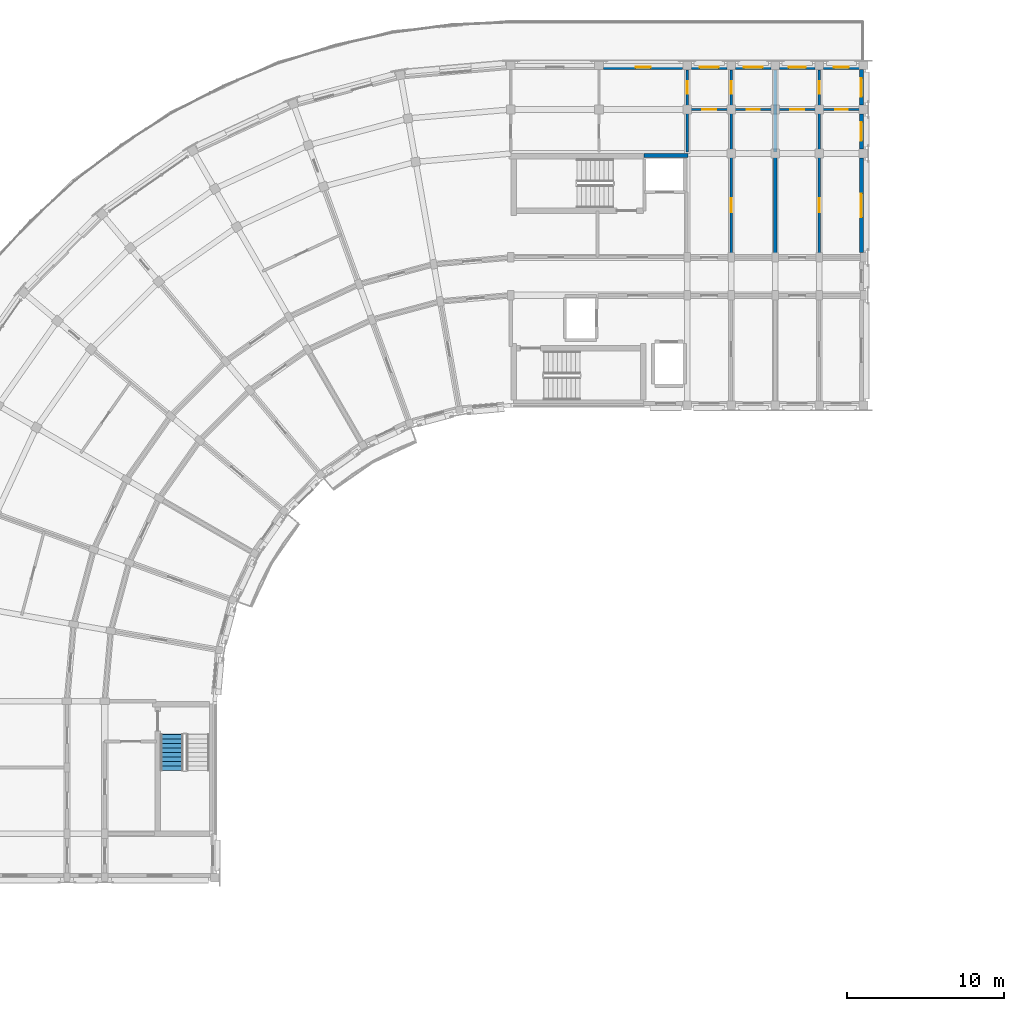
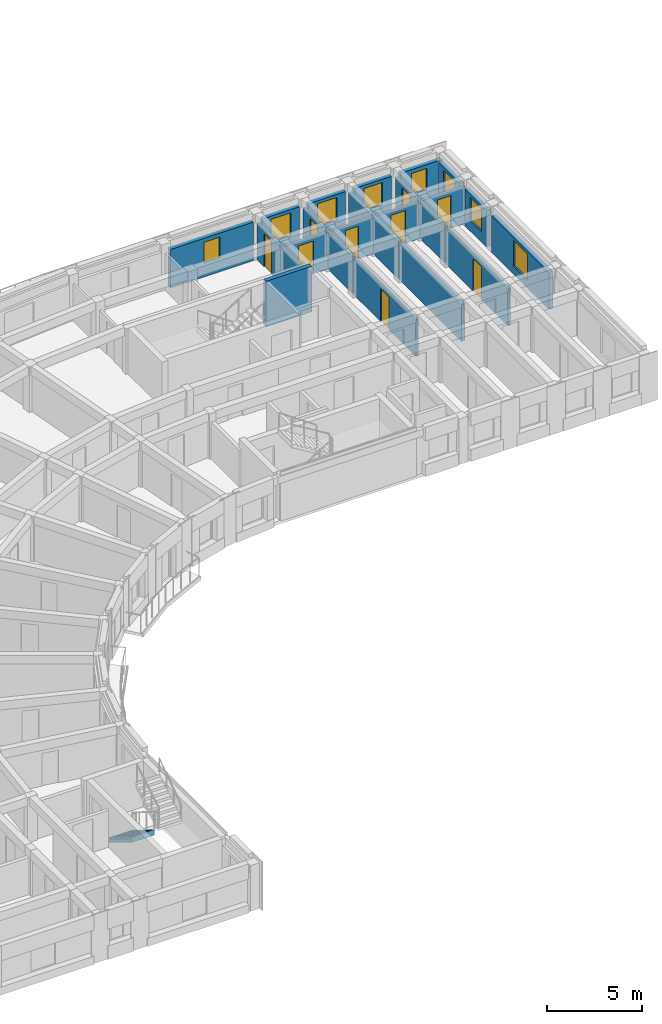
# One storey, part 15 of 23: 20 walls, 9 doors, 8 windows, 1 stair flight, 17 openings, 1 element without a shape of its own.
"""IFC4 building model written with IfcOpenShell, lengths in metres."""

from ifc_helpers import new_model, si_unit, direction, frame, frame_2d, origin, place, context, subcontext, project, spatial, polyline, rectangle, outline, extrude, material, layer, layer_set, type_object, element, fill, aggregate, save


model = new_model("IFC4")

# Units and contexts
model_context = context("Model", 3, precision=1e-05, world=origin(), true_north=direction((0.0, 1.0)))
body_context = subcontext(model_context, "Body", "Model", "MODEL_VIEW")
ifc_project = project(units=[si_unit("LENGTHUNIT", "METRE"), si_unit("AREAUNIT", "SQUARE_METRE"), si_unit("VOLUMEUNIT", "CUBIC_METRE"), si_unit("PLANEANGLEUNIT", "RADIAN"), si_unit("MASSUNIT", "GRAM", prefix="KILO")], contexts=[model_context])

# Site, building, storey
site_placement = place(None, origin())
site = spatial("IfcSite", under=ifc_project, at=site_placement, CompositionType="ELEMENT")
building_placement = place(site_placement, origin())
building = spatial("IfcBuilding", under=site, at=building_placement, Name="Kiranvali Square Residences", CompositionType="ELEMENT")
storey_placement = place(building_placement, frame((0.0, 0.0, 43.35009765625)))
storey = spatial("IfcBuildingStorey", under=building, at=storey_placement, Name="L13", CompositionType="ELEMENT", Elevation=43.35009765625)

# Walls
ifc_material_1 = material(Name="Autoclaved aerated concrete blockwork masonry", Category="masonry")
ifc_layer_1 = layer(ifc_material_1, 0.219970703125)
ifc_layer_set_1 = layer_set([ifc_layer_1], Name="Autoclaved aerated concrete blockwork masonry")
wall_type_1 = type_object("IfcWallType", Name="WL-DEM-220", PredefinedType="STANDARD", material=ifc_layer_set_1)
wall_1_placement = place(storey_placement, frame((65.0, 116.050048828125, 0.0), z_axis=(0.0, 0.0, 1.0), x_axis=(0.0, 1.0, 0.0)))
element("IfcWall", 1, at=wall_1_placement, inside=storey, type_object=wall_type_1, Name="L13 architectural wall WL-L13-A-A1TO1-2", PredefinedType="STANDARD", context=body_context, shape_type="SweptSolid", body=[
    extrude(rectangle(XDim=6.530029296875, YDim=0.219970703125, at=frame_2d((3.26513671875, 0.0))), origin(), (0.0, 0.0, 1.0), 2.371826171875),
])
wall_2_placement = place(storey_placement, frame((65.0, 122.699951171875, 0.0), z_axis=(0.0, 0.0, 1.0), x_axis=(0.0, 1.0, 0.0)))
element("IfcWall", 2, at=wall_2_placement, inside=storey, type_object=wall_type_1, Name="L13 architectural wall WL-L13-A-A1TO2-2", PredefinedType="STANDARD", context=body_context, shape_type="SweptSolid", body=[
    extrude(rectangle(XDim=5.219970703125, YDim=0.219970703125, at=frame_2d((2.60986328125, 0.0))), origin(), (0.0, 0.0, 1.0), 2.371826171875),
])

# Wall, opening, window
ifc_material_2 = material(Name="Breathable lime-rendered clay brick masonry", Category="masonry")
ifc_layer_2 = layer(ifc_material_2, 0.25)
ifc_layer_set_2 = layer_set([ifc_layer_2], Name="Breathable lime-rendered clay brick masonry")
wall_type_2 = type_object("IfcWallType", Name="WL-EXT-250", PredefinedType="STANDARD", material=ifc_layer_set_2)
wall_3_placement = place(storey_placement, frame((54.07861328125, 128.074951171875, 0.0), z_axis=(0.0, 0.0, 1.0), x_axis=(1.0, 0.0, 0.0)))
wall_3 = element("IfcWall", 3, at=wall_3_placement, inside=storey, type_object=wall_type_2, Name="L13 exterior wall A-L13-A1O-1", PredefinedType="STANDARD", context=body_context, shape_type="SweptSolid", body=[
    extrude(rectangle(XDim=5.04296875, YDim=0.25, at=frame_2d((2.521484375, 0.0))), origin(), (0.0, 0.0, 1.0), 2.47998046875),
])
opening_1_placement = place(wall_3_placement, frame((2.04638671875, 0.0, 0.8798828125)))
opening_1 = element("IfcOpeningElement", 4, at=opening_1_placement, cuts=wall_3, Name="Opening W-16", PredefinedType="OPENING", context=body_context, shape_type="SweptSolid", body=[
    extrude(rectangle(XDim=0.949951171875, YDim=1.35009765625, at=frame_2d((0.47509765625, 0.675048828125))), frame((0.0, 0.135009765625, 0.0), z_axis=(0.0, -1.0, 0.0), x_axis=(1.0, 0.0, 0.0)), (0.0, 0.0, 1.0), 0.27001953125),
])
ifc_material_3 = material(Name="Solar-control low-e double glazing", Category="glass")
window_type_1 = type_object("IfcWindowType", Name="WIN-RES-950x1350", PartitioningType="SINGLE_PANEL", PredefinedType="WINDOW", material=ifc_material_3)
window_1_placement = place(opening_1_placement, origin())
window_1 = element("IfcWindow", 5, at=window_1_placement, inside=storey, type_object=window_type_1, Name="L13 recessed window A-L13-A1O-1", OverallHeight=1.35009765625, OverallWidth=0.949951171875, PartitioningType="SINGLE_PANEL", PredefinedType="WINDOW", context=body_context, shape_type="SweptSolid", body=[
    extrude(rectangle(XDim=0.949951171875, YDim=1.35009765625, at=frame_2d((0.47509765625, 0.675048828125))), frame((0.0, 0.030029296875, 0.0), z_axis=(0.0, -1.0, 0.0), x_axis=(1.0, 0.0, 0.0)), (0.0, 0.0, 1.0), 0.06005859375),
])
fill(opening_1, window_1)

wall_4_placement = place(storey_placement, frame((59.678466796875, 128.074951171875, 0.0), z_axis=(0.0, 0.0, 1.0), x_axis=(1.0, 0.0, 0.0)))
wall_4 = element("IfcWall", 6, at=wall_4_placement, inside=storey, type_object=wall_type_2, Name="L13 exterior wall A-L13-A1O-2", PredefinedType="STANDARD", context=body_context, shape_type="SweptSolid", body=[
    extrude(rectangle(XDim=2.242919921875, YDim=0.25, at=frame_2d((1.12158203125, 0.0))), origin(), (0.0, 0.0, 1.0), 2.47998046875),
])
opening_2_placement = place(wall_4_placement, frame((0.521484375, 0.0, 0.780029296875)))
opening_2 = element("IfcOpeningElement", 7, at=opening_2_placement, cuts=wall_4, Name="Opening W-06", PredefinedType="OPENING", context=body_context, shape_type="SweptSolid", body=[
    extrude(rectangle(XDim=1.199951171875, YDim=1.5, at=frame_2d((0.60009765625, 0.75))), frame((0.0, 0.135009765625, 0.0), z_axis=(0.0, -1.0, 0.0), x_axis=(1.0, 0.0, 0.0)), (0.0, 0.0, 1.0), 0.27001953125),
])
window_type_2 = type_object("IfcWindowType", Name="WIN-RES-1200x1500", PartitioningType="SINGLE_PANEL", PredefinedType="WINDOW", material=ifc_material_3)
window_2_placement = place(opening_2_placement, origin())
window_2 = element("IfcWindow", 8, at=window_2_placement, inside=storey, type_object=window_type_2, Name="L13 recessed window A-L13-A1O-2", OverallHeight=1.5, OverallWidth=1.199951171875, PartitioningType="SINGLE_PANEL", PredefinedType="WINDOW", context=body_context, shape_type="SweptSolid", body=[
    extrude(rectangle(XDim=1.199951171875, YDim=1.5, at=frame_2d((0.60009765625, 0.75))), frame((0.0, 0.030029296875, 0.0), z_axis=(0.0, -1.0, 0.0), x_axis=(1.0, 0.0, 0.0)), (0.0, 0.0, 1.0), 0.06005859375),
])
fill(opening_2, window_2)

wall_5_placement = place(storey_placement, frame((62.478515625, 128.074951171875, 0.0), z_axis=(0.0, 0.0, 1.0), x_axis=(1.0, 0.0, 0.0)))
wall_5 = element("IfcWall", 9, at=wall_5_placement, inside=storey, type_object=wall_type_2, Name="L13 exterior wall A-L13-A1O-3", PredefinedType="STANDARD", context=body_context, shape_type="SweptSolid", body=[
    extrude(rectangle(XDim=2.242919921875, YDim=0.25, at=frame_2d((1.12158203125, 0.0))), origin(), (0.0, 0.0, 1.0), 2.47998046875),
])
opening_3_placement = place(wall_5_placement, frame((0.521484375, 0.0, 0.780029296875)))
opening_3 = element("IfcOpeningElement", 10, at=opening_3_placement, cuts=wall_5, Name="Opening W-06", PredefinedType="OPENING", context=body_context, shape_type="SweptSolid", body=[
    extrude(rectangle(XDim=1.199951171875, YDim=1.5, at=frame_2d((0.60009765625, 0.75))), frame((0.0, 0.135009765625, 0.0), z_axis=(0.0, -1.0, 0.0), x_axis=(1.0, 0.0, 0.0)), (0.0, 0.0, 1.0), 0.27001953125),
])
window_3_placement = place(opening_3_placement, origin())
window_3 = element("IfcWindow", 11, at=window_3_placement, inside=storey, type_object=window_type_2, Name="L13 recessed window A-L13-A1O-3", OverallHeight=1.5, OverallWidth=1.199951171875, PartitioningType="SINGLE_PANEL", PredefinedType="WINDOW", context=body_context, shape_type="SweptSolid", body=[
    extrude(rectangle(XDim=1.199951171875, YDim=1.5, at=frame_2d((0.60009765625, 0.75))), frame((0.0, 0.030029296875, 0.0), z_axis=(0.0, -1.0, 0.0), x_axis=(1.0, 0.0, 0.0)), (0.0, 0.0, 1.0), 0.06005859375),
])
fill(opening_3, window_3)

wall_6_placement = place(storey_placement, frame((65.278564453125, 128.074951171875, 0.0), z_axis=(0.0, 0.0, 1.0), x_axis=(1.0, 0.0, 0.0)))
wall_6 = element("IfcWall", 12, at=wall_6_placement, inside=storey, type_object=wall_type_2, Name="L13 exterior wall A-L13-A1O-4", PredefinedType="STANDARD", context=body_context, shape_type="SweptSolid", body=[
    extrude(rectangle(XDim=2.242919921875, YDim=0.25, at=frame_2d((1.12158203125, 0.0))), origin(), (0.0, 0.0, 1.0), 2.47998046875),
])
opening_4_placement = place(wall_6_placement, frame((0.571533203125, 0.0, 0.830078125)))
opening_4 = element("IfcOpeningElement", 13, at=opening_4_placement, cuts=wall_6, Name="Opening W-15", PredefinedType="OPENING", context=body_context, shape_type="SweptSolid", body=[
    extrude(rectangle(XDim=1.10009765625, YDim=1.449951171875, at=frame_2d((0.550048828125, 0.72509765625))), frame((0.0, 0.135009765625, 0.0), z_axis=(0.0, -1.0, 0.0), x_axis=(1.0, 0.0, 0.0)), (0.0, 0.0, 1.0), 0.27001953125),
])
window_type_3 = type_object("IfcWindowType", Name="WIN-RES-1100x1450", PartitioningType="SINGLE_PANEL", PredefinedType="WINDOW", material=ifc_material_3)
window_4_placement = place(opening_4_placement, origin())
window_4 = element("IfcWindow", 14, at=window_4_placement, inside=storey, type_object=window_type_3, Name="L13 recessed window A-L13-A1O-4", OverallHeight=1.449951171875, OverallWidth=1.10009765625, PartitioningType="SINGLE_PANEL", PredefinedType="WINDOW", context=body_context, shape_type="SweptSolid", body=[
    extrude(rectangle(XDim=1.10009765625, YDim=1.449951171875, at=frame_2d((0.550048828125, 0.72509765625))), frame((0.0, 0.030029296875, 0.0), z_axis=(0.0, -1.0, 0.0), x_axis=(1.0, 0.0, 0.0)), (0.0, 0.0, 1.0), 0.06005859375),
])
fill(opening_4, window_4)

wall_7_placement = place(storey_placement, frame((68.07861328125, 128.074951171875, 0.0), z_axis=(0.0, 0.0, 1.0), x_axis=(1.0, 0.0, 0.0)))
wall_7 = element("IfcWall", 15, at=wall_7_placement, inside=storey, type_object=wall_type_2, Name="L13 exterior wall A-L13-A1O-5", PredefinedType="STANDARD", context=body_context, shape_type="SweptSolid", body=[
    extrude(rectangle(XDim=2.521484375, YDim=0.25, at=frame_2d((1.2607421875, 0.0))), origin(), (0.0, 0.0, 1.0), 2.47998046875),
])
opening_5_placement = place(wall_7_placement, frame((0.646484375, 0.0, 0.8798828125)))
opening_5 = element("IfcOpeningElement", 16, at=opening_5_placement, cuts=wall_7, Name="Opening W-16", PredefinedType="OPENING", context=body_context, shape_type="SweptSolid", body=[
    extrude(rectangle(XDim=0.949951171875, YDim=1.35009765625, at=frame_2d((0.47509765625, 0.675048828125))), frame((0.0, 0.135009765625, 0.0), z_axis=(0.0, -1.0, 0.0), x_axis=(1.0, 0.0, 0.0)), (0.0, 0.0, 1.0), 0.27001953125),
])
window_5_placement = place(opening_5_placement, origin())
window_5 = element("IfcWindow", 17, at=window_5_placement, inside=storey, type_object=window_type_1, Name="L13 recessed window A-L13-A1O-5", OverallHeight=1.35009765625, OverallWidth=0.949951171875, PartitioningType="SINGLE_PANEL", PredefinedType="WINDOW", context=body_context, shape_type="SweptSolid", body=[
    extrude(rectangle(XDim=0.949951171875, YDim=1.35009765625, at=frame_2d((0.47509765625, 0.675048828125))), frame((0.0, 0.030029296875, 0.0), z_axis=(0.0, -1.0, 0.0), x_axis=(1.0, 0.0, 0.0)), (0.0, 0.0, 1.0), 0.06005859375),
])
fill(opening_5, window_5)

wall_8_placement = place(storey_placement, frame((70.47509765625, 116.303466796875, 0.0), z_axis=(0.0, 0.0, 1.0), x_axis=(0.0, 1.0, 0.0)))
wall_8 = element("IfcWall", 18, at=wall_8_placement, inside=storey, type_object=wall_type_2, Name="L13 exterior wall A-L13-A1END-2", PredefinedType="STANDARD", context=body_context, shape_type="SweptSolid", body=[
    extrude(rectangle(XDim=6.01806640625, YDim=0.25, at=frame_2d((3.009033203125, 0.0))), origin(), (0.0, 0.0, 1.0), 2.371826171875),
])
opening_6_placement = place(wall_8_placement, frame((2.24658203125, 0.0, 0.52197265625)))
opening_6 = element("IfcOpeningElement", 19, at=opening_6_placement, cuts=wall_8, Name="Opening W-05", PredefinedType="OPENING", context=body_context, shape_type="SweptSolid", body=[
    extrude(rectangle(XDim=1.5, YDim=1.64990234375, at=frame_2d((0.75, 0.824951171875))), frame((0.0, 0.135009765625, 0.0), z_axis=(0.0, -1.0, 0.0), x_axis=(1.0, 0.0, 0.0)), (0.0, 0.0, 1.0), 0.27001953125),
])
window_type_4 = type_object("IfcWindowType", Name="WIN-RES-1500x1650", PartitioningType="DOUBLE_PANEL_VERTICAL", PredefinedType="WINDOW", material=ifc_material_3)
window_6_placement = place(opening_6_placement, origin())
window_6 = element("IfcWindow", 20, at=window_6_placement, inside=storey, type_object=window_type_4, Name="L13 recessed window A-L13-A1END-2", OverallHeight=1.64990234375, OverallWidth=1.5, PartitioningType="DOUBLE_PANEL_VERTICAL", PredefinedType="WINDOW", context=body_context, shape_type="SweptSolid", body=[
    extrude(rectangle(XDim=1.5, YDim=1.64990234375, at=frame_2d((0.75, 0.824951171875))), frame((0.0, 0.030029296875, 0.0), z_axis=(0.0, -1.0, 0.0), x_axis=(1.0, 0.0, 0.0)), (0.0, 0.0, 1.0), 0.06005859375),
])
fill(opening_6, window_6)

wall_9_placement = place(storey_placement, frame((70.47509765625, 122.87841796875, 0.0), z_axis=(0.0, 0.0, 1.0), x_axis=(0.0, 1.0, 0.0)))
wall_9 = element("IfcWall", 21, at=wall_9_placement, inside=storey, type_object=wall_type_2, Name="L13 exterior wall A-L13-A1END-3", PredefinedType="STANDARD", context=body_context, shape_type="SweptSolid", body=[
    extrude(rectangle(XDim=2.2431640625, YDim=0.25, at=frame_2d((1.12158203125, 0.0))), origin(), (0.0, 0.0, 1.0), 2.371826171875),
])
opening_7_placement = place(wall_9_placement, frame((0.521484375, 0.0, 0.672119140625)))
opening_7 = element("IfcOpeningElement", 22, at=opening_7_placement, cuts=wall_9, Name="Opening W-06", PredefinedType="OPENING", context=body_context, shape_type="SweptSolid", body=[
    extrude(rectangle(XDim=1.199951171875, YDim=1.5, at=frame_2d((0.60009765625, 0.75))), frame((0.0, 0.135009765625, 0.0), z_axis=(0.0, -1.0, 0.0), x_axis=(1.0, 0.0, 0.0)), (0.0, 0.0, 1.0), 0.27001953125),
])
window_7_placement = place(opening_7_placement, origin())
window_7 = element("IfcWindow", 23, at=window_7_placement, inside=storey, type_object=window_type_2, Name="L13 recessed window A-L13-A1END-3", OverallHeight=1.5, OverallWidth=1.199951171875, PartitioningType="SINGLE_PANEL", PredefinedType="WINDOW", context=body_context, shape_type="SweptSolid", body=[
    extrude(rectangle(XDim=1.199951171875, YDim=1.5, at=frame_2d((0.60009765625, 0.75))), frame((0.0, 0.030029296875, 0.0), z_axis=(0.0, -1.0, 0.0), x_axis=(1.0, 0.0, 0.0)), (0.0, 0.0, 1.0), 0.06005859375),
])
fill(opening_7, window_7)

wall_10_placement = place(storey_placement, frame((70.47509765625, 125.678466796875, 0.0), z_axis=(0.0, 0.0, 1.0), x_axis=(0.0, 1.0, 0.0)))
wall_10 = element("IfcWall", 24, at=wall_10_placement, inside=storey, type_object=wall_type_2, Name="L13 exterior wall A-L13-A1END-4", PredefinedType="STANDARD", context=body_context, shape_type="SweptSolid", body=[
    extrude(rectangle(XDim=2.2685546875, YDim=0.25, at=frame_2d((1.13427734375, 0.0))), origin(), (0.0, 0.0, 1.0), 2.411865234375),
])
opening_8_placement = place(wall_10_placement, frame((0.521484375, 0.0, 0.7119140625)))
opening_8 = element("IfcOpeningElement", 25, at=opening_8_placement, cuts=wall_10, Name="Opening W-06", PredefinedType="OPENING", context=body_context, shape_type="SweptSolid", body=[
    extrude(rectangle(XDim=1.199951171875, YDim=1.5, at=frame_2d((0.60009765625, 0.75))), frame((0.0, 0.135009765625, 0.0), z_axis=(0.0, -1.0, 0.0), x_axis=(1.0, 0.0, 0.0)), (0.0, 0.0, 1.0), 0.27001953125),
])
window_8_placement = place(opening_8_placement, origin())
window_8 = element("IfcWindow", 26, at=window_8_placement, inside=storey, type_object=window_type_2, Name="L13 recessed window A-L13-A1END-4", OverallHeight=1.5, OverallWidth=1.199951171875, PartitioningType="SINGLE_PANEL", PredefinedType="WINDOW", context=body_context, shape_type="SweptSolid", body=[
    extrude(rectangle(XDim=1.199951171875, YDim=1.5, at=frame_2d((0.60009765625, 0.75))), frame((0.0, 0.030029296875, 0.0), z_axis=(0.0, -1.0, 0.0), x_axis=(1.0, 0.0, 0.0)), (0.0, 0.0, 1.0), 0.06005859375),
])
fill(opening_8, window_8)

# Wall, opening, door
ifc_material_4 = material(Name="Acoustic gypsum board drylined partition", Category="gypsum")
ifc_layer_3 = layer(ifc_material_4, 0.14990234375)
ifc_layer_set_3 = layer_set([ifc_layer_3], Name="Acoustic gypsum board drylined partition")
wall_type_3 = type_object("IfcWallType", Name="WL-PRT-150", PredefinedType="PARTITIONING", material=ifc_layer_set_3)
wall_11_placement = place(storey_placement, frame((59.39990234375, 122.699951171875, 0.0), z_axis=(0.0, 0.0, 1.0), x_axis=(0.0, 1.0, 0.0)))
wall_11 = element("IfcWall", 27, at=wall_11_placement, inside=storey, type_object=wall_type_3, Name="L13 architectural wall WL-L13-A-A1TO2-0", PredefinedType="PARTITIONING", context=body_context, shape_type="SweptSolid", body=[
    extrude(rectangle(XDim=5.219970703125, YDim=0.14990234375, at=frame_2d((2.60986328125, 0.0))), origin(), (0.0, 0.0, 1.0), 2.371826171875),
])
opening_9_placement = place(wall_11_placement, frame((3.69970703125, 0.0, 0.0)))
opening_9 = element("IfcOpeningElement", 28, at=opening_9_placement, cuts=wall_11, Name="Opening ID-WET", PredefinedType="OPENING", context=body_context, shape_type="SweptSolid", body=[
    extrude(rectangle(XDim=0.800048828125, YDim=2.10009765625, at=frame_2d((0.39990234375, 1.050048828125))), frame((0.0, 0.0849609375, 0.0), z_axis=(0.0, -1.0, 0.0), x_axis=(1.0, 0.0, 0.0)), (0.0, 0.0, 1.0), 0.169921875),
])
ifc_material_5 = material(Name="Solid seasoned teak hardwood joinery", Category="wood")
door_type_1 = type_object("IfcDoorType", Name="DR-WET-800", OperationType="NOTDEFINED", PredefinedType="DOOR", material=ifc_material_5)
door_1_placement = place(opening_9_placement, frame((0.800048828125, 0.0, 0.0), z_axis=(0.0, 0.0, 1.0), x_axis=(-1.0, 0.0, 0.0)))
door_1 = element("IfcDoor", 29, at=door_1_placement, inside=storey, type_object=door_type_1, Name="L13 door DR-L13-0812 (DR-WET-800)", OperationType="SINGLE_SWING_RIGHT", OverallHeight=2.10009765625, OverallWidth=0.800048828125, PredefinedType="DOOR", context=body_context, shape_type="SweptSolid", body=[
    extrude(rectangle(XDim=0.800048828125, YDim=2.10009765625, at=frame_2d((0.39990234375, 1.050048828125))), frame((0.0, 0.02490234375, 0.0), z_axis=(0.0, -1.0, 0.0), x_axis=(1.0, 0.0, 0.0)), (0.0, 0.0, 1.0), 0.050048828125),
])
fill(opening_9, door_1)

wall_12_placement = place(storey_placement, frame((62.199951171875, 116.050048828125, 0.0), z_axis=(0.0, 0.0, 1.0), x_axis=(0.0, 1.0, 0.0)))
wall_12 = element("IfcWall", 30, at=wall_12_placement, inside=storey, type_object=wall_type_3, Name="L13 architectural wall WL-L13-A-A1TO1-1", PredefinedType="PARTITIONING", context=body_context, shape_type="SweptSolid", body=[
    extrude(rectangle(XDim=6.530029296875, YDim=0.14990234375, at=frame_2d((3.26513671875, 0.0))), origin(), (0.0, 0.0, 1.0), 2.371826171875),
])
opening_10_placement = place(wall_12_placement, frame((2.81494140625, 0.0, 0.0)))
opening_10 = element("IfcOpeningElement", 31, at=opening_10_placement, cuts=wall_12, Name="Opening ID-1", PredefinedType="OPENING", context=body_context, shape_type="SweptSolid", body=[
    extrude(rectangle(XDim=0.89990234375, YDim=2.10009765625, at=frame_2d((0.449951171875, 1.050048828125))), frame((0.0, 0.0849609375, 0.0), z_axis=(0.0, -1.0, 0.0), x_axis=(1.0, 0.0, 0.0)), (0.0, 0.0, 1.0), 0.169921875),
])
door_type_2 = type_object("IfcDoorType", Name="DR-INT-900", OperationType="NOTDEFINED", PredefinedType="DOOR", material=ifc_material_5)
door_2_placement = place(opening_10_placement, frame((0.89990234375, 0.0, 0.0), z_axis=(0.0, 0.0, 1.0), x_axis=(-1.0, 0.0, 0.0)))
door_2 = element("IfcDoor", 32, at=door_2_placement, inside=storey, type_object=door_type_2, Name="L13 door DR-L13-0814 (DR-INT-900)", OperationType="SINGLE_SWING_RIGHT", OverallHeight=2.10009765625, OverallWidth=0.89990234375, PredefinedType="DOOR", context=body_context, shape_type="SweptSolid", body=[
    extrude(rectangle(XDim=0.89990234375, YDim=2.10009765625, at=frame_2d((0.449951171875, 1.050048828125))), frame((0.0, 0.02490234375, 0.0), z_axis=(0.0, -1.0, 0.0), x_axis=(1.0, 0.0, 0.0)), (0.0, 0.0, 1.0), 0.050048828125),
])
fill(opening_10, door_2)

wall_13_placement = place(storey_placement, frame((62.199951171875, 122.699951171875, 0.0), z_axis=(0.0, 0.0, 1.0), x_axis=(0.0, 1.0, 0.0)))
wall_13 = element("IfcWall", 33, at=wall_13_placement, inside=storey, type_object=wall_type_3, Name="L13 architectural wall WL-L13-A-A1TO2-1", PredefinedType="PARTITIONING", context=body_context, shape_type="SweptSolid", body=[
    extrude(rectangle(XDim=5.219970703125, YDim=0.14990234375, at=frame_2d((2.60986328125, 0.0))), origin(), (0.0, 0.0, 1.0), 2.371826171875),
])
opening_11_placement = place(wall_13_placement, frame((3.69970703125, 0.0, 0.0)))
opening_11 = element("IfcOpeningElement", 34, at=opening_11_placement, cuts=wall_13, Name="Opening ID-WET", PredefinedType="OPENING", context=body_context, shape_type="SweptSolid", body=[
    extrude(rectangle(XDim=0.800048828125, YDim=2.10009765625, at=frame_2d((0.39990234375, 1.050048828125))), frame((0.0, 0.0849609375, 0.0), z_axis=(0.0, -1.0, 0.0), x_axis=(1.0, 0.0, 0.0)), (0.0, 0.0, 1.0), 0.169921875),
])
door_3_placement = place(opening_11_placement, origin())
door_3 = element("IfcDoor", 35, at=door_3_placement, inside=storey, type_object=door_type_1, Name="L13 door DR-L13-0815 (DR-WET-800)", OperationType="SINGLE_SWING_LEFT", OverallHeight=2.10009765625, OverallWidth=0.800048828125, PredefinedType="DOOR", context=body_context, shape_type="SweptSolid", body=[
    extrude(rectangle(XDim=0.800048828125, YDim=2.10009765625, at=frame_2d((0.39990234375, 1.050048828125))), frame((0.0, 0.02490234375, 0.0), z_axis=(0.0, -1.0, 0.0), x_axis=(1.0, 0.0, 0.0)), (0.0, 0.0, 1.0), 0.050048828125),
])
fill(opening_11, door_3)

wall_14_placement = place(storey_placement, frame((67.800048828125, 116.050048828125, 0.0), z_axis=(0.0, 0.0, 1.0), x_axis=(0.0, 1.0, 0.0)))
wall_14 = element("IfcWall", 36, at=wall_14_placement, inside=storey, type_object=wall_type_3, Name="L13 architectural wall WL-L13-A-A1TO1-3", PredefinedType="PARTITIONING", context=body_context, shape_type="SweptSolid", body=[
    extrude(rectangle(XDim=6.530029296875, YDim=0.14990234375, at=frame_2d((3.26513671875, 0.0))), origin(), (0.0, 0.0, 1.0), 2.371826171875),
])
opening_12_placement = place(wall_14_placement, frame((2.81494140625, 0.0, 0.0)))
opening_12 = element("IfcOpeningElement", 37, at=opening_12_placement, cuts=wall_14, Name="Opening ID-1", PredefinedType="OPENING", context=body_context, shape_type="SweptSolid", body=[
    extrude(rectangle(XDim=0.89990234375, YDim=2.10009765625, at=frame_2d((0.449951171875, 1.050048828125))), frame((0.0, 0.0849609375, 0.0), z_axis=(0.0, -1.0, 0.0), x_axis=(1.0, 0.0, 0.0)), (0.0, 0.0, 1.0), 0.169921875),
])
door_4_placement = place(opening_12_placement, origin())
door_4 = element("IfcDoor", 38, at=door_4_placement, inside=storey, type_object=door_type_2, Name="L13 door DR-L13-0817 (DR-INT-900)", OperationType="SINGLE_SWING_LEFT", OverallHeight=2.10009765625, OverallWidth=0.89990234375, PredefinedType="DOOR", context=body_context, shape_type="SweptSolid", body=[
    extrude(rectangle(XDim=0.89990234375, YDim=2.10009765625, at=frame_2d((0.449951171875, 1.050048828125))), frame((0.0, 0.02490234375, 0.0), z_axis=(0.0, -1.0, 0.0), x_axis=(1.0, 0.0, 0.0)), (0.0, 0.0, 1.0), 0.050048828125),
])
fill(opening_12, door_4)

wall_15_placement = place(storey_placement, frame((67.800048828125, 122.699951171875, 0.0), z_axis=(0.0, 0.0, 1.0), x_axis=(0.0, 1.0, 0.0)))
wall_15 = element("IfcWall", 39, at=wall_15_placement, inside=storey, type_object=wall_type_3, Name="L13 architectural wall WL-L13-A-A1TO2-3", PredefinedType="PARTITIONING", context=body_context, shape_type="SweptSolid", body=[
    extrude(rectangle(XDim=5.219970703125, YDim=0.14990234375, at=frame_2d((2.60986328125, 0.0))), origin(), (0.0, 0.0, 1.0), 2.371826171875),
])
opening_13_placement = place(wall_15_placement, frame((3.69970703125, 0.0, 0.0)))
opening_13 = element("IfcOpeningElement", 40, at=opening_13_placement, cuts=wall_15, Name="Opening ID-WET", PredefinedType="OPENING", context=body_context, shape_type="SweptSolid", body=[
    extrude(rectangle(XDim=0.800048828125, YDim=2.10009765625, at=frame_2d((0.39990234375, 1.050048828125))), frame((0.0, 0.0849609375, 0.0), z_axis=(0.0, -1.0, 0.0), x_axis=(1.0, 0.0, 0.0)), (0.0, 0.0, 1.0), 0.169921875),
])
door_5_placement = place(opening_13_placement, frame((0.800048828125, 0.0, 0.0), z_axis=(0.0, 0.0, 1.0), x_axis=(-1.0, 0.0, 0.0)))
door_5 = element("IfcDoor", 41, at=door_5_placement, inside=storey, type_object=door_type_1, Name="L13 door DR-L13-0818 (DR-WET-800)", OperationType="SINGLE_SWING_RIGHT", OverallHeight=2.10009765625, OverallWidth=0.800048828125, PredefinedType="DOOR", context=body_context, shape_type="SweptSolid", body=[
    extrude(rectangle(XDim=0.800048828125, YDim=2.10009765625, at=frame_2d((0.39990234375, 1.050048828125))), frame((0.0, 0.02490234375, 0.0), z_axis=(0.0, -1.0, 0.0), x_axis=(1.0, 0.0, 0.0)), (0.0, 0.0, 1.0), 0.050048828125),
])
fill(opening_13, door_5)

# Wall
ifc_material_6 = material(Name="Concrete M45 (45 MPa)", Category="concrete")
ifc_layer_4 = layer(ifc_material_6, 0.25)
ifc_layer_set_4 = layer_set([ifc_layer_4], Name="Concrete M45 (45 MPa)")
wall_type_4 = type_object("IfcWallType", Name="WL-SHR-250", PredefinedType="SHEAR", material=ifc_layer_set_4)
wall_16_placement = place(storey_placement, frame((56.64990234375, 122.47509765625, 0.0), z_axis=(0.0, 0.0, 1.0), x_axis=(1.0, 0.0, 0.0)))
element("IfcWall", 42, at=wall_16_placement, inside=storey, type_object=wall_type_4, Name="Block A core shear wall SW-AFF-BK-L13", PredefinedType="SHEAR", context=body_context, shape_type="SweptSolid", body=[
    extrude(rectangle(XDim=2.800048828125, YDim=0.25, at=frame_2d((1.39990234375, 0.0))), origin(), (0.0, 0.0, 1.0), 2.929931640625),
])

# Wall, opening, door
ifc_layer_5 = layer(ifc_material_1, 0.14990234375)
ifc_layer_set_5 = layer_set([ifc_layer_5], Name="Autoclaved aerated concrete blockwork masonry")
wall_type_5 = type_object("IfcWallType", Name="WL-WET-150", PredefinedType="PLUMBINGWALL", material=ifc_layer_set_5)
wall_17_placement = place(storey_placement, frame((59.47998046875, 125.39990234375, 0.0), z_axis=(0.0, 0.0, 1.0), x_axis=(1.0, 0.0, 0.0)))
wall_17 = element("IfcWall", 43, at=wall_17_placement, inside=storey, type_object=wall_type_5, Name="L13 architectural wall WL-L13-A-A1SP-0", PredefinedType="PLUMBINGWALL", context=body_context, shape_type="SweptSolid", body=[
    extrude(rectangle(XDim=2.64013671875, YDim=0.14990234375, at=frame_2d((1.320068359375, 0.0))), origin(), (0.0, 0.0, 1.0), 2.371826171875),
])
opening_14_placement = place(wall_17_placement, frame((0.8701171875, 0.0, 0.0)))
opening_14 = element("IfcOpeningElement", 44, at=opening_14_placement, cuts=wall_17, Name="Opening ID-1", PredefinedType="OPENING", context=body_context, shape_type="SweptSolid", body=[
    extrude(rectangle(XDim=0.89990234375, YDim=2.10009765625, at=frame_2d((0.449951171875, 1.050048828125))), frame((0.0, 0.0849609375, 0.0), z_axis=(0.0, -1.0, 0.0), x_axis=(1.0, 0.0, 0.0)), (0.0, 0.0, 1.0), 0.169921875),
])
door_6_placement = place(opening_14_placement, origin())
door_6 = element("IfcDoor", 45, at=door_6_placement, inside=storey, type_object=door_type_2, Name="L13 door DR-L13-0805 (DR-INT-900)", OperationType="SINGLE_SWING_LEFT", OverallHeight=2.10009765625, OverallWidth=0.89990234375, PredefinedType="DOOR", context=body_context, shape_type="SweptSolid", body=[
    extrude(rectangle(XDim=0.89990234375, YDim=2.10009765625, at=frame_2d((0.449951171875, 1.050048828125))), frame((0.0, 0.02490234375, 0.0), z_axis=(0.0, -1.0, 0.0), x_axis=(1.0, 0.0, 0.0)), (0.0, 0.0, 1.0), 0.050048828125),
])
fill(opening_14, door_6)

wall_18_placement = place(storey_placement, frame((62.280029296875, 125.39990234375, 0.0), z_axis=(0.0, 0.0, 1.0), x_axis=(1.0, 0.0, 0.0)))
wall_18 = element("IfcWall", 46, at=wall_18_placement, inside=storey, type_object=wall_type_5, Name="L13 architectural wall WL-L13-A-A1SP-1", PredefinedType="PLUMBINGWALL", context=body_context, shape_type="SweptSolid", body=[
    extrude(rectangle(XDim=2.639892578125, YDim=0.14990234375, at=frame_2d((1.31982421875, 0.0))), origin(), (0.0, 0.0, 1.0), 2.371826171875),
])
opening_15_placement = place(wall_18_placement, frame((0.919921875, 0.0, 0.0)))
opening_15 = element("IfcOpeningElement", 47, at=opening_15_placement, cuts=wall_18, Name="Opening ID-WET", PredefinedType="OPENING", context=body_context, shape_type="SweptSolid", body=[
    extrude(rectangle(XDim=0.800048828125, YDim=2.10009765625, at=frame_2d((0.39990234375, 1.050048828125))), frame((0.0, 0.0849609375, 0.0), z_axis=(0.0, -1.0, 0.0), x_axis=(1.0, 0.0, 0.0)), (0.0, 0.0, 1.0), 0.169921875),
])
door_7_placement = place(opening_15_placement, origin())
door_7 = element("IfcDoor", 48, at=door_7_placement, inside=storey, type_object=door_type_1, Name="L13 door DR-L13-0807 (DR-WET-800)", OperationType="SINGLE_SWING_LEFT", OverallHeight=2.10009765625, OverallWidth=0.800048828125, PredefinedType="DOOR", context=body_context, shape_type="SweptSolid", body=[
    extrude(rectangle(XDim=0.800048828125, YDim=2.10009765625, at=frame_2d((0.39990234375, 1.050048828125))), frame((0.0, 0.02490234375, 0.0), z_axis=(0.0, -1.0, 0.0), x_axis=(1.0, 0.0, 0.0)), (0.0, 0.0, 1.0), 0.050048828125),
])
fill(opening_15, door_7)

wall_19_placement = place(storey_placement, frame((65.080078125, 125.39990234375, 0.0), z_axis=(0.0, 0.0, 1.0), x_axis=(1.0, 0.0, 0.0)))
wall_19 = element("IfcWall", 49, at=wall_19_placement, inside=storey, type_object=wall_type_5, Name="L13 architectural wall WL-L13-A-A1SP-2", PredefinedType="PLUMBINGWALL", context=body_context, shape_type="SweptSolid", body=[
    extrude(rectangle(XDim=2.639892578125, YDim=0.14990234375, at=frame_2d((1.31982421875, 0.0))), origin(), (0.0, 0.0, 1.0), 2.371826171875),
])
opening_16_placement = place(wall_19_placement, frame((0.8701171875, 0.0, 0.0)))
opening_16 = element("IfcOpeningElement", 50, at=opening_16_placement, cuts=wall_19, Name="Opening ID-1", PredefinedType="OPENING", context=body_context, shape_type="SweptSolid", body=[
    extrude(rectangle(XDim=0.89990234375, YDim=2.10009765625, at=frame_2d((0.449951171875, 1.050048828125))), frame((0.0, 0.0849609375, 0.0), z_axis=(0.0, -1.0, 0.0), x_axis=(1.0, 0.0, 0.0)), (0.0, 0.0, 1.0), 0.169921875),
])
door_8_placement = place(opening_16_placement, origin())
door_8 = element("IfcDoor", 51, at=door_8_placement, inside=storey, type_object=door_type_2, Name="L13 door DR-L13-0809 (DR-INT-900)", OperationType="SINGLE_SWING_LEFT", OverallHeight=2.10009765625, OverallWidth=0.89990234375, PredefinedType="DOOR", context=body_context, shape_type="SweptSolid", body=[
    extrude(rectangle(XDim=0.89990234375, YDim=2.10009765625, at=frame_2d((0.449951171875, 1.050048828125))), frame((0.0, 0.02490234375, 0.0), z_axis=(0.0, -1.0, 0.0), x_axis=(1.0, 0.0, 0.0)), (0.0, 0.0, 1.0), 0.050048828125),
])
fill(opening_16, door_8)

wall_20_placement = place(storey_placement, frame((67.8798828125, 125.39990234375, 0.0), z_axis=(0.0, 0.0, 1.0), x_axis=(1.0, 0.0, 0.0)))
wall_20 = element("IfcWall", 52, at=wall_20_placement, inside=storey, type_object=wall_type_5, Name="L13 architectural wall WL-L13-A-A1SP-3", PredefinedType="PLUMBINGWALL", context=body_context, shape_type="SweptSolid", body=[
    extrude(rectangle(XDim=2.64013671875, YDim=0.14990234375, at=frame_2d((1.320068359375, 0.0))), origin(), (0.0, 0.0, 1.0), 2.371826171875),
])
opening_17_placement = place(wall_20_placement, frame((0.919921875, 0.0, 0.0)))
opening_17 = element("IfcOpeningElement", 53, at=opening_17_placement, cuts=wall_20, Name="Opening ID-WET", PredefinedType="OPENING", context=body_context, shape_type="SweptSolid", body=[
    extrude(rectangle(XDim=0.800048828125, YDim=2.10009765625, at=frame_2d((0.39990234375, 1.050048828125))), frame((0.0, 0.0849609375, 0.0), z_axis=(0.0, -1.0, 0.0), x_axis=(1.0, 0.0, 0.0)), (0.0, 0.0, 1.0), 0.169921875),
])
door_9_placement = place(opening_17_placement, origin())
door_9 = element("IfcDoor", 54, at=door_9_placement, inside=storey, type_object=door_type_1, Name="L13 door DR-L13-0811 (DR-WET-800)", OperationType="SINGLE_SWING_LEFT", OverallHeight=2.10009765625, OverallWidth=0.800048828125, PredefinedType="DOOR", context=body_context, shape_type="SweptSolid", body=[
    extrude(rectangle(XDim=0.800048828125, YDim=2.10009765625, at=frame_2d((0.39990234375, 1.050048828125))), frame((0.0, 0.02490234375, 0.0), z_axis=(0.0, -1.0, 0.0), x_axis=(1.0, 0.0, 0.0)), (0.0, 0.0, 1.0), 0.050048828125),
])
fill(opening_17, door_9)

# Stair, stair flight
ifc_material_7 = material(Name="Concrete M35 (35 MPa)", Category="concrete")
stair_type = type_object("IfcStairType", Name="ST-CORE-1700", PredefinedType="HALF_TURN_STAIR", material=ifc_material_7)
stair_placement = place(storey_placement, origin())
stair = element("IfcStair", 55, at=stair_placement, inside=storey, type_object=stair_type, Name="L13 Block A Wing Protected Exit Stair 3", PredefinedType="HALF_TURN_STAIR")
stair_flight_type = type_object("IfcStairFlightType", Name="STF-1700", PredefinedType="STRAIGHT", material=ifc_material_7)
stair_flight_placement = place(storey_placement, frame((26.675048828125, 85.699951171875, 0.0), z_axis=(0.0, 0.0, 1.0), x_axis=(0.0, -1.0, 0.0)))
stair_flight = element("IfcStairFlight", 56, at=stair_flight_placement, type_object=stair_flight_type, Name="ST-A3 flight 1", NumberOfRisers=9, NumberOfTreads=8, PredefinedType="STRAIGHT", RiserHeight=0.175, TreadLength=0.285, context=body_context, shape_type="SweptSolid", body=[
    extrude(outline(polyline([(-0.02001953125, -0.14990234375), (-0.02001953125, 0.0), (0.0, 0.0), (0.0, 0.175048828125), (0.284912109375, 0.175048828125), (0.284912109375, 0.35009765625), (0.570068359375, 0.35009765625), (0.570068359375, 0.52490234375), (0.85498046875, 0.52490234375), (0.85498046875, 0.699951171875), (1.139892578125, 0.699951171875), (1.139892578125, 0.875), (1.425048828125, 0.875), (1.425048828125, 1.050048828125), (1.7099609375, 1.050048828125), (1.7099609375, 1.22509765625), (1.9951171875, 1.22509765625), (1.9951171875, 1.39990234375), (2.280029296875, 1.39990234375), (2.280029296875, 1.574951171875), (2.300048828125, 1.574951171875), (2.300048828125, 1.22412109375), (2.280029296875, 1.22412109375), (0.0, -0.14990234375), (-0.02001953125, -0.14990234375)])), frame((0.0, 0.72509765625, 0.0), z_axis=(0.0, -1.0, 0.0), x_axis=(1.0, 0.0, 0.0)), (0.0, 0.0, 1.0), 1.449951171875),
])
aggregate(stair, [stair_flight])

save(model, "model.ifc")
